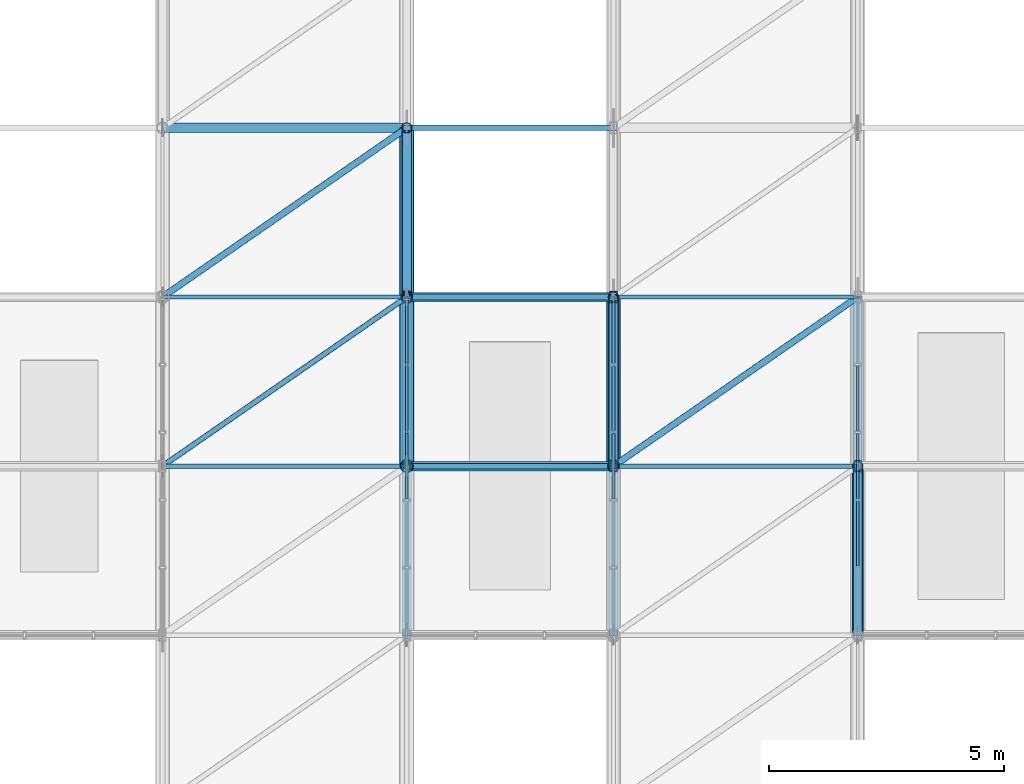
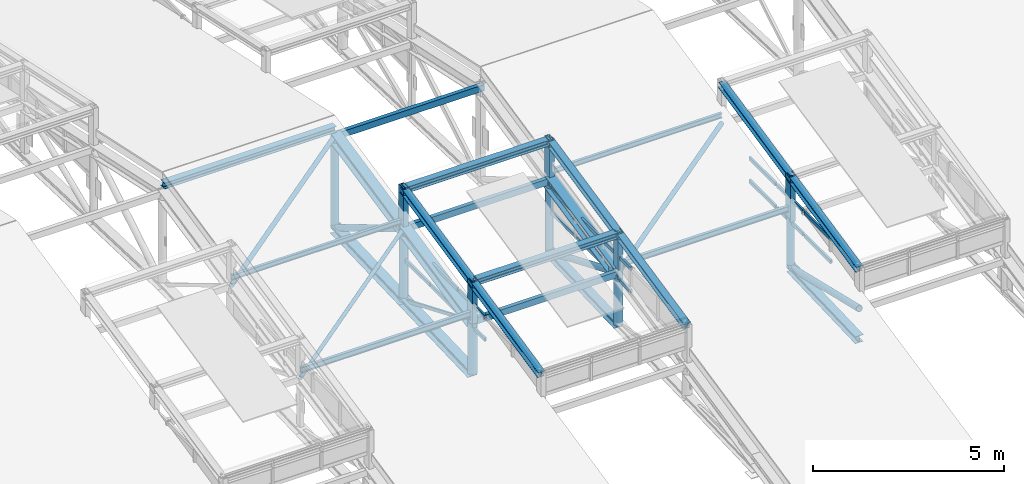
# One storey, part 36 of 124: 56 members, 3 elements without a shape of their own.
"""IFC4 building model written with IfcOpenShell, lengths in metres."""

from ifc_helpers import new_model, si_unit, direction, frame, origin, origin_2d, place, context, subcontext, project, spatial, hollow_rectangle, hollow_circle, i_section, extrude, material, layer, layer_set, material_profile, profile_set, type_object, element, aggregate, save


model = new_model("IFC4")

# Units and contexts
model_context = context("Model", 3, precision=1e-05, world=origin(), true_north=direction((0.0, 1.0)))
body_context = subcontext(model_context, "Body", "Model", "MODEL_VIEW")
ifc_project = project(units=[si_unit("LENGTHUNIT", "METRE"), si_unit("AREAUNIT", "SQUARE_METRE"), si_unit("VOLUMEUNIT", "CUBIC_METRE"), si_unit("PLANEANGLEUNIT", "RADIAN"), si_unit("MASSUNIT", "GRAM", prefix="KILO"), si_unit("THERMODYNAMICTEMPERATUREUNIT", "KELVIN"), si_unit("POWERUNIT", "WATT")], contexts=[model_context])

# Site, building, storey
site_placement = place(None, origin())
site = spatial("IfcSite", under=ifc_project, at=site_placement, CompositionType="ELEMENT")
building_placement = place(site_placement, origin())
building = spatial("IfcBuilding", under=site, at=building_placement, Name="Tavuni Mirador Residences", CompositionType="ELEMENT")
storey_placement = place(building_placement, frame((0.0, 0.0, 7.64990234375)))
storey = spatial("IfcBuildingStorey", under=building, at=storey_placement, Name="L02", CompositionType="ELEMENT", Elevation=7.64990234375)

# Curtain wall, members
ifc_material_1 = material(Name="Anodised aluminium", Category="aluminium")
ifc_layer = layer(ifc_material_1, 0.199951171875, Name="Anodised aluminium", Category="aluminium")
ifc_layer_set = layer_set([ifc_layer], Name="Anodised aluminium")
curtain_wall_type = type_object("IfcCurtainWallType", Name="CWT-HAL-01", PredefinedType="NOTDEFINED", material=ifc_layer_set)
curtain_wall_1_placement = place(storey_placement, origin())
curtain_wall_1 = element("IfcCurtainWall", 1, at=curtain_wall_1_placement, inside=storey, type_object=curtain_wall_type, Name="CW-HALL-MON-S2-W", PredefinedType="NOTDEFINED")
ifc_material_profile_1 = material_profile(ifc_material_1, hollow_rectangle(XDim=0.06005859375, YDim=0.110107421875, WallThickness=0.00390625, at=origin_2d()), Name="ALU 60x110x4.0", Category="aluminium")
ifc_profile_set_1 = profile_set([ifc_material_profile_1], Name="Anodised aluminium")
member_type_1 = type_object("IfcMemberType", Name="CWT-110", PredefinedType="USERDEFINED", material=ifc_profile_set_1)
member_1_placement = place(storey_placement, frame((54.39990234375, 78.510009765625, 1.205078125), z_axis=(0.0, 1.0, 0.0), x_axis=(-1.0, 0.0, 0.0)))
member_1 = element("IfcMember", 2, at=member_1_placement, type_object=member_type_1, Name="CW-06 transom 3.1", ObjectType="TRANSOM", PredefinedType="USERDEFINED", context=body_context, shape_type="SweptSolid", body=[
    extrude(hollow_rectangle(XDim=0.06005859375, YDim=0.110107421875, WallThickness=0.00390625, at=origin_2d()), origin(), (0.0, 0.0, 1.0), 1.3798828125),
])
member_2_placement = place(storey_placement, frame((54.39990234375, 78.510009765625, 1.93505859375), z_axis=(0.0, 1.0, 0.0), x_axis=(-1.0, 0.0, 0.0)))
member_2 = element("IfcMember", 3, at=member_2_placement, type_object=member_type_1, Name="CW-06 transom 3.2", ObjectType="TRANSOM", PredefinedType="USERDEFINED", context=body_context, shape_type="SweptSolid", body=[
    extrude(hollow_rectangle(XDim=0.06005859375, YDim=0.110107421875, WallThickness=0.00390625, at=origin_2d()), origin(), (0.0, 0.0, 1.0), 1.3798828125),
])
member_3_placement = place(storey_placement, frame((54.39990234375, 79.949951171875, 1.205078125), z_axis=(0.0, 1.0, 0.0), x_axis=(-1.0, 0.0, 0.0)))
member_3 = element("IfcMember", 4, at=member_3_placement, type_object=member_type_1, Name="CW-06 transom 4.1", ObjectType="TRANSOM", PredefinedType="USERDEFINED", context=body_context, shape_type="SweptSolid", body=[
    extrude(hollow_rectangle(XDim=0.06005859375, YDim=0.110107421875, WallThickness=0.00390625, at=origin_2d()), origin(), (0.0, 0.0, 1.0), 1.380126953125),
])
member_4_placement = place(storey_placement, frame((54.39990234375, 79.949951171875, 1.93505859375), z_axis=(0.0, 1.0, 0.0), x_axis=(-1.0, 0.0, 0.0)))
member_4 = element("IfcMember", 5, at=member_4_placement, type_object=member_type_1, Name="CW-06 transom 4.2", ObjectType="TRANSOM", PredefinedType="USERDEFINED", context=body_context, shape_type="SweptSolid", body=[
    extrude(hollow_rectangle(XDim=0.06005859375, YDim=0.110107421875, WallThickness=0.00390625, at=origin_2d()), origin(), (0.0, 0.0, 1.0), 1.380126953125),
])
member_5_placement = place(storey_placement, frame((54.39990234375, 81.389892578125, 1.205078125), z_axis=(0.0, 1.0, 0.0), x_axis=(-1.0, 0.0, 0.0)))
member_5 = element("IfcMember", 6, at=member_5_placement, type_object=member_type_1, Name="CW-06 transom 5.1", ObjectType="TRANSOM", PredefinedType="USERDEFINED", context=body_context, shape_type="SweptSolid", body=[
    extrude(hollow_rectangle(XDim=0.06005859375, YDim=0.110107421875, WallThickness=0.00390625, at=origin_2d()), origin(), (0.0, 0.0, 1.0), 1.35009765625),
])
member_6_placement = place(storey_placement, frame((54.39990234375, 81.389892578125, 1.93505859375), z_axis=(0.0, 1.0, 0.0), x_axis=(-1.0, 0.0, 0.0)))
member_6 = element("IfcMember", 7, at=member_6_placement, type_object=member_type_1, Name="CW-06 transom 5.2", ObjectType="TRANSOM", PredefinedType="USERDEFINED", context=body_context, shape_type="SweptSolid", body=[
    extrude(hollow_rectangle(XDim=0.06005859375, YDim=0.110107421875, WallThickness=0.00390625, at=origin_2d()), origin(), (0.0, 0.0, 1.0), 1.35009765625),
])
aggregate(curtain_wall_1, [member_1, member_2, member_3, member_4, member_5, member_6])

curtain_wall_2_placement = place(storey_placement, origin())
curtain_wall_2 = element("IfcCurtainWall", 8, at=curtain_wall_2_placement, inside=storey, type_object=curtain_wall_type, Name="CW-HALL-MON-S2-E", PredefinedType="NOTDEFINED")
member_7_placement = place(storey_placement, frame((58.800048828125, 78.510009765625, 1.205078125), z_axis=(0.0, 1.0, 0.0), x_axis=(-1.0, 0.0, 0.0)))
member_7 = element("IfcMember", 9, at=member_7_placement, type_object=member_type_1, Name="CW-06 transom 3.1", ObjectType="TRANSOM", PredefinedType="USERDEFINED", context=body_context, shape_type="SweptSolid", body=[
    extrude(hollow_rectangle(XDim=0.06005859375, YDim=0.110107421875, WallThickness=0.00390625, at=origin_2d()), origin(), (0.0, 0.0, 1.0), 1.3798828125),
])
member_8_placement = place(storey_placement, frame((58.800048828125, 78.510009765625, 1.93505859375), z_axis=(0.0, 1.0, 0.0), x_axis=(-1.0, 0.0, 0.0)))
member_8 = element("IfcMember", 10, at=member_8_placement, type_object=member_type_1, Name="CW-06 transom 3.2", ObjectType="TRANSOM", PredefinedType="USERDEFINED", context=body_context, shape_type="SweptSolid", body=[
    extrude(hollow_rectangle(XDim=0.06005859375, YDim=0.110107421875, WallThickness=0.00390625, at=origin_2d()), origin(), (0.0, 0.0, 1.0), 1.3798828125),
])
member_9_placement = place(storey_placement, frame((58.800048828125, 79.949951171875, 1.205078125), z_axis=(0.0, 1.0, 0.0), x_axis=(-1.0, 0.0, 0.0)))
member_9 = element("IfcMember", 11, at=member_9_placement, type_object=member_type_1, Name="CW-06 transom 4.1", ObjectType="TRANSOM", PredefinedType="USERDEFINED", context=body_context, shape_type="SweptSolid", body=[
    extrude(hollow_rectangle(XDim=0.06005859375, YDim=0.110107421875, WallThickness=0.00390625, at=origin_2d()), origin(), (0.0, 0.0, 1.0), 1.380126953125),
])
member_10_placement = place(storey_placement, frame((58.800048828125, 79.949951171875, 1.93505859375), z_axis=(0.0, 1.0, 0.0), x_axis=(-1.0, 0.0, 0.0)))
member_10 = element("IfcMember", 12, at=member_10_placement, type_object=member_type_1, Name="CW-06 transom 4.2", ObjectType="TRANSOM", PredefinedType="USERDEFINED", context=body_context, shape_type="SweptSolid", body=[
    extrude(hollow_rectangle(XDim=0.06005859375, YDim=0.110107421875, WallThickness=0.00390625, at=origin_2d()), origin(), (0.0, 0.0, 1.0), 1.380126953125),
])
member_11_placement = place(storey_placement, frame((58.800048828125, 81.389892578125, 1.205078125), z_axis=(0.0, 1.0, 0.0), x_axis=(-1.0, 0.0, 0.0)))
member_11 = element("IfcMember", 13, at=member_11_placement, type_object=member_type_1, Name="CW-06 transom 5.1", ObjectType="TRANSOM", PredefinedType="USERDEFINED", context=body_context, shape_type="SweptSolid", body=[
    extrude(hollow_rectangle(XDim=0.06005859375, YDim=0.110107421875, WallThickness=0.00390625, at=origin_2d()), origin(), (0.0, 0.0, 1.0), 1.35009765625),
])
member_12_placement = place(storey_placement, frame((58.800048828125, 81.389892578125, 1.93505859375), z_axis=(0.0, 1.0, 0.0), x_axis=(-1.0, 0.0, 0.0)))
member_12 = element("IfcMember", 14, at=member_12_placement, type_object=member_type_1, Name="CW-06 transom 5.2", ObjectType="TRANSOM", PredefinedType="USERDEFINED", context=body_context, shape_type="SweptSolid", body=[
    extrude(hollow_rectangle(XDim=0.06005859375, YDim=0.110107421875, WallThickness=0.00390625, at=origin_2d()), origin(), (0.0, 0.0, 1.0), 1.35009765625),
])
aggregate(curtain_wall_2, [member_7, member_8, member_9, member_10, member_11, member_12])

curtain_wall_3_placement = place(storey_placement, origin())
curtain_wall_3 = element("IfcCurtainWall", 15, at=curtain_wall_3_placement, inside=storey, type_object=curtain_wall_type, Name="CW-HALL-MON-S3-W", PredefinedType="NOTDEFINED")
member_13_placement = place(storey_placement, frame((64.0, 77.070068359375, 1.205078125), z_axis=(0.0, 1.0, 0.0), x_axis=(-1.0, 0.0, 0.0)))
member_13 = element("IfcMember", 16, at=member_13_placement, type_object=member_type_1, Name="CW-06 transom 2.1", ObjectType="TRANSOM", PredefinedType="USERDEFINED", context=body_context, shape_type="SweptSolid", body=[
    extrude(hollow_rectangle(XDim=0.06005859375, YDim=0.110107421875, WallThickness=0.00390625, at=origin_2d()), origin(), (0.0, 0.0, 1.0), 1.3798828125),
])
member_14_placement = place(storey_placement, frame((64.0, 77.070068359375, 1.93505859375), z_axis=(0.0, 1.0, 0.0), x_axis=(-1.0, 0.0, 0.0)))
member_14 = element("IfcMember", 17, at=member_14_placement, type_object=member_type_1, Name="CW-06 transom 2.2", ObjectType="TRANSOM", PredefinedType="USERDEFINED", context=body_context, shape_type="SweptSolid", body=[
    extrude(hollow_rectangle(XDim=0.06005859375, YDim=0.110107421875, WallThickness=0.00390625, at=origin_2d()), origin(), (0.0, 0.0, 1.0), 1.3798828125),
])
member_15_placement = place(storey_placement, frame((64.0, 78.510009765625, 1.205078125), z_axis=(0.0, 1.0, 0.0), x_axis=(-1.0, 0.0, 0.0)))
member_15 = element("IfcMember", 18, at=member_15_placement, type_object=member_type_1, Name="CW-06 transom 3.1", ObjectType="TRANSOM", PredefinedType="USERDEFINED", context=body_context, shape_type="SweptSolid", body=[
    extrude(hollow_rectangle(XDim=0.06005859375, YDim=0.110107421875, WallThickness=0.00390625, at=origin_2d()), origin(), (0.0, 0.0, 1.0), 1.3798828125),
])
member_16_placement = place(storey_placement, frame((64.0, 78.510009765625, 1.93505859375), z_axis=(0.0, 1.0, 0.0), x_axis=(-1.0, 0.0, 0.0)))
member_16 = element("IfcMember", 19, at=member_16_placement, type_object=member_type_1, Name="CW-06 transom 3.2", ObjectType="TRANSOM", PredefinedType="USERDEFINED", context=body_context, shape_type="SweptSolid", body=[
    extrude(hollow_rectangle(XDim=0.06005859375, YDim=0.110107421875, WallThickness=0.00390625, at=origin_2d()), origin(), (0.0, 0.0, 1.0), 1.3798828125),
])
member_17_placement = place(storey_placement, frame((64.0, 79.949951171875, 1.205078125), z_axis=(0.0, 1.0, 0.0), x_axis=(-1.0, 0.0, 0.0)))
member_17 = element("IfcMember", 20, at=member_17_placement, type_object=member_type_1, Name="CW-06 transom 4.1", ObjectType="TRANSOM", PredefinedType="USERDEFINED", context=body_context, shape_type="SweptSolid", body=[
    extrude(hollow_rectangle(XDim=0.06005859375, YDim=0.110107421875, WallThickness=0.00390625, at=origin_2d()), origin(), (0.0, 0.0, 1.0), 1.380126953125),
])
member_18_placement = place(storey_placement, frame((64.0, 79.949951171875, 1.93505859375), z_axis=(0.0, 1.0, 0.0), x_axis=(-1.0, 0.0, 0.0)))
member_18 = element("IfcMember", 21, at=member_18_placement, type_object=member_type_1, Name="CW-06 transom 4.2", ObjectType="TRANSOM", PredefinedType="USERDEFINED", context=body_context, shape_type="SweptSolid", body=[
    extrude(hollow_rectangle(XDim=0.06005859375, YDim=0.110107421875, WallThickness=0.00390625, at=origin_2d()), origin(), (0.0, 0.0, 1.0), 1.380126953125),
])
aggregate(curtain_wall_3, [member_13, member_14, member_15, member_16, member_17, member_18])

# Members
ifc_material_2 = material(Name="Structural steel S355", Category="steel")
ifc_material_profile_2 = material_profile(ifc_material_2, hollow_circle(Radius=0.05712890625, WallThickness=0.00634765625, at=origin_2d()), Name="CHS 114.3x6.3", Category="steel")
ifc_profile_set_2 = profile_set([ifc_material_profile_2], Name="Structural steel S355")
member_type_2 = type_object("IfcMemberType", Name="MT-BR-CHS114", PredefinedType="BRACE", material=ifc_profile_set_2)
member_19_placement = place(storey_placement, frame((49.199951171875, 79.199951171875, 1.380126953125), z_axis=(0.81607988035, 0.564999010077, 0.12161310579), x_axis=(-0.569224029849, 0.822182463838, 0.0)))
element("IfcMember", 22, at=member_19_placement, inside=storey, type_object=member_type_2, Name="HALL-RB-2-03", PredefinedType="BRACE", context=body_context, shape_type="SweptSolid", body=[
    extrude(hollow_circle(Radius=0.05712890625, WallThickness=0.00634765625, at=origin_2d()), origin(), (0.0, 0.0, 1.0), 6.371826171875),
])
ifc_material_profile_3 = material_profile(ifc_material_2, hollow_circle(Radius=0.06982421875, WallThickness=0.008056640625, at=origin_2d()), Name="CHS 139.7x8.0", Category="steel")
ifc_profile_set_3 = profile_set([ifc_material_profile_3], Name="Structural steel S355")
member_type_3 = type_object("IfcMemberType", Name="MT-BR-CHS139", PredefinedType="BRACE", material=ifc_profile_set_3)
for number, where, z_axis, x_axis, name in (
    (23, (49.199951171875, 82.800048828125, 2.155029296875), (0.816093743488, 0.564970291926, 0.121653487749), (-0.569197934703, 0.822200529755, 0.0), "HALL-RB-2-04"),
    (24, (58.800048828125, 79.199951171875, 1.380126953125), (0.81607988035, 0.564999010077, 0.12161310579), (-0.569224029849, 0.822182463838, 0.0), "HALL-RB-3-03"),
):
    element("IfcMember", number, at=place(storey_placement, frame(where, z_axis=z_axis, x_axis=x_axis)), inside=storey, type_object=member_type_3, Name=name, PredefinedType="BRACE", context=body_context, shape_type="SweptSolid", body=[
        extrude(hollow_circle(Radius=0.06982421875, WallThickness=0.008056640625, at=origin_2d()), origin(), (0.0, 0.0, 1.0), 6.371826171875),
    ])
ifc_material_profile_4 = material_profile(ifc_material_2, hollow_circle(Radius=0.096923828125, WallThickness=0.010009765625, at=origin_2d()), Name="CHS 193.7x10.0", Category="steel")
ifc_profile_set_4 = profile_set([ifc_material_profile_4], Name="Structural steel S355")
member_type_4 = type_object("IfcMemberType", Name="MT-BR-CHS193", PredefinedType="BRACE", material=ifc_profile_set_4)
member_20_placement = place(storey_placement, frame((54.39990234375, 82.800048828125, 2.155029296875), z_axis=(0.0, 0.858005936545, -0.513639769541), x_axis=(-1.0, 0.0, 0.0)))
element("IfcMember", 25, at=member_20_placement, inside=storey, type_object=member_type_4, Name="Roof truss TR-4 web diagonal 4", PredefinedType="BRACE", context=body_context, shape_type="SweptSolid", body=[
    extrude(hollow_circle(Radius=0.096923828125, WallThickness=0.010009765625, at=origin_2d()), origin(), (0.0, 0.0, 1.0), 4.195556640625),
])
member_21_placement = place(storey_placement, frame((58.800048828125, 79.199951171875, 1.380126953125), z_axis=(0.0, 0.922613480979, -0.385725763613), x_axis=(-1.0, 0.0, 0.0)))
element("IfcMember", 26, at=member_21_placement, inside=storey, type_object=member_type_4, Name="Roof truss TR-5 web diagonal 3", PredefinedType="BRACE", context=body_context, shape_type="SweptSolid", body=[
    extrude(hollow_circle(Radius=0.096923828125, WallThickness=0.010009765625, at=origin_2d()), origin(), (0.0, 0.0, 1.0), 3.902099609375),
])
member_22_placement = place(storey_placement, frame((64.0, 75.60009765625, 0.60498046875), z_axis=(0.0, 0.972935623557, -0.231076334601), x_axis=(-1.0, 0.0, 0.0)))
element("IfcMember", 27, at=member_22_placement, inside=storey, type_object=member_type_4, Name="Roof truss TR-6 web diagonal 2", PredefinedType="BRACE", context=body_context, shape_type="SweptSolid", body=[
    extrude(hollow_circle(Radius=0.096923828125, WallThickness=0.010009765625, at=origin_2d()), origin(), (0.0, 0.0, 1.0), 3.699951171875),
])
ifc_material_profile_5 = material_profile(ifc_material_2, hollow_rectangle(XDim=0.06005859375, YDim=0.10009765625, WallThickness=0.0048828125, at=origin_2d()), Name="RHS 100x60x5.0", Category="steel")
ifc_profile_set_5 = profile_set([ifc_material_profile_5], Name="Structural steel S355")
member_type_5 = type_object("IfcMemberType", Name="MT-BR-RHS100", PredefinedType="BRACE", material=ifc_profile_set_5)
member_23_placement = place(storey_placement, frame((54.39990234375, 79.199951171875, 1.380126953125), z_axis=(0.0, 0.922613480979, -0.385725763613), x_axis=(-1.0, 0.0, 0.0)))
element("IfcMember", 28, at=member_23_placement, inside=storey, type_object=member_type_5, Name="Roof truss TR-4 web diagonal 3", PredefinedType="BRACE", context=body_context, shape_type="SweptSolid", body=[
    extrude(hollow_rectangle(XDim=0.06005859375, YDim=0.10009765625, WallThickness=0.0048828125, at=origin_2d()), origin(), (0.0, 0.0, 1.0), 3.902099609375),
])
ifc_material_profile_6 = material_profile(ifc_material_2, i_section(OverallWidth=0.239990234375, OverallDepth=0.22998046875, WebThickness=0.007568359375, FlangeThickness=0.011962890625, FilletRadius=0.02099609375, at=origin_2d()), Name="HEA 240", Category="steel")
ifc_profile_set_6 = profile_set([ifc_material_profile_6], Name="Structural steel S355")
member_type_6 = type_object("IfcMemberType", Name="MT-CH-HEA240", PredefinedType="CHORD", material=ifc_profile_set_6)
member_24_placement = place(storey_placement, frame((58.800048828125, 79.199951171875, -0.25), z_axis=(0.0, 0.999397760821, 0.034700369832), x_axis=(-1.0, 0.0, 0.0)))
element("IfcMember", 29, at=member_24_placement, inside=storey, type_object=member_type_6, Name="Roof truss TR-5 bottom chord 3", PredefinedType="CHORD", context=body_context, shape_type="SweptSolid", body=[
    extrude(i_section(OverallWidth=0.239990234375, OverallDepth=0.22998046875, WebThickness=0.007568359375, FlangeThickness=0.011962890625, FilletRadius=0.02099609375, at=origin_2d()), origin(), (0.0, 0.0, 1.0), 3.602294921875),
])
member_25_placement = place(storey_placement, frame((64.0, 75.60009765625, -0.375), z_axis=(0.0, 0.999397679205, 0.034702720363), x_axis=(-1.0, 0.0, 0.0)))
element("IfcMember", 30, at=member_25_placement, inside=storey, type_object=member_type_6, Name="Roof truss TR-6 bottom chord 2", PredefinedType="CHORD", context=body_context, shape_type="SweptSolid", body=[
    extrude(i_section(OverallWidth=0.239990234375, OverallDepth=0.22998046875, WebThickness=0.007568359375, FlangeThickness=0.011962890625, FilletRadius=0.02099609375, at=origin_2d()), origin(), (0.0, 0.0, 1.0), 3.60205078125),
])
ifc_material_profile_7 = material_profile(ifc_material_2, i_section(OverallWidth=0.280029296875, OverallDepth=0.27001953125, WebThickness=0.008056640625, FlangeThickness=0.012939453125, FilletRadius=0.02392578125, at=origin_2d()), Name="HEA 280", Category="steel")
ifc_profile_set_7 = profile_set([ifc_material_profile_7], Name="Structural steel S355")
member_type_7 = type_object("IfcMemberType", Name="MT-CH-HEA280", PredefinedType="CHORD", material=ifc_profile_set_7)
member_26_placement = place(storey_placement, frame((54.39990234375, 79.199951171875, -0.25), z_axis=(0.0, 0.999397760821, 0.034700369832), x_axis=(-1.0, 0.0, 0.0)))
element("IfcMember", 31, at=member_26_placement, inside=storey, type_object=member_type_7, Name="Roof truss TR-4 bottom chord 3", PredefinedType="CHORD", context=body_context, shape_type="SweptSolid", body=[
    extrude(i_section(OverallWidth=0.280029296875, OverallDepth=0.27001953125, WebThickness=0.008056640625, FlangeThickness=0.012939453125, FilletRadius=0.02392578125, at=origin_2d()), origin(), (0.0, 0.0, 1.0), 3.602294921875),
])
member_27_placement = place(storey_placement, frame((54.39990234375, 82.800048828125, -0.125), z_axis=(0.0, 0.999397679205, 0.034702720363), x_axis=(-1.0, 0.0, 0.0)))
element("IfcMember", 32, at=member_27_placement, inside=storey, type_object=member_type_7, Name="Roof truss TR-4 bottom chord 4", PredefinedType="CHORD", context=body_context, shape_type="SweptSolid", body=[
    extrude(i_section(OverallWidth=0.280029296875, OverallDepth=0.27001953125, WebThickness=0.008056640625, FlangeThickness=0.012939453125, FilletRadius=0.02392578125, at=origin_2d()), origin(), (0.0, 0.0, 1.0), 3.60205078125),
])
ifc_material_profile_8 = material_profile(ifc_material_2, i_section(OverallWidth=0.300048828125, OverallDepth=0.389892578125, WebThickness=0.010986328125, FlangeThickness=0.01904296875, FilletRadius=0.027099609375, at=origin_2d()), Name="HEA 400", Category="steel")
ifc_profile_set_8 = profile_set([ifc_material_profile_8], Name="Structural steel S355")
member_type_8 = type_object("IfcMemberType", Name="MT-CH-HEA400", PredefinedType="CHORD", material=ifc_profile_set_8)
member_28_placement = place(storey_placement, frame((58.800048828125, 79.199951171875, 1.380126953125), z_axis=(0.0, 0.977609904647, 0.210425460284), x_axis=(-1.0, 0.0, 0.0)))
element("IfcMember", 33, at=member_28_placement, inside=storey, type_object=member_type_8, Name="Roof truss TR-5 top chord 3", PredefinedType="CHORD", context=body_context, shape_type="SweptSolid", body=[
    extrude(i_section(OverallWidth=0.300048828125, OverallDepth=0.389892578125, WebThickness=0.010986328125, FlangeThickness=0.01904296875, FilletRadius=0.027099609375, at=origin_2d()), origin(), (0.0, 0.0, 1.0), 3.6826171875),
])
ifc_material_profile_9 = material_profile(ifc_material_2, i_section(OverallWidth=0.300048828125, OverallDepth=0.320068359375, WebThickness=0.011474609375, FlangeThickness=0.0205078125, FilletRadius=0.027099609375, at=origin_2d()), Name="HEB 320", Category="steel")
ifc_profile_set_9 = profile_set([ifc_material_profile_9], Name="Structural steel S355")
member_type_9 = type_object("IfcMemberType", Name="MT-CH-HEB320", PredefinedType="CHORD", material=ifc_profile_set_9)
member_29_placement = place(storey_placement, frame((54.39990234375, 79.199951171875, 1.380126953125), z_axis=(0.0, 0.977609904647, 0.210425460284), x_axis=(-1.0, 0.0, 0.0)))
element("IfcMember", 34, at=member_29_placement, inside=storey, type_object=member_type_9, Name="Roof truss TR-4 top chord 3", PredefinedType="CHORD", context=body_context, shape_type="SweptSolid", body=[
    extrude(i_section(OverallWidth=0.300048828125, OverallDepth=0.320068359375, WebThickness=0.011474609375, FlangeThickness=0.0205078125, FilletRadius=0.027099609375, at=origin_2d()), origin(), (0.0, 0.0, 1.0), 3.6826171875),
])
member_30_placement = place(storey_placement, frame((54.39990234375, 82.800048828125, 2.155029296875), z_axis=(0.0, 0.977593327089, 0.210502462768), x_axis=(-1.0, 0.0, 0.0)))
element("IfcMember", 35, at=member_30_placement, inside=storey, type_object=member_type_9, Name="Roof truss TR-4 top chord 4", PredefinedType="CHORD", context=body_context, shape_type="SweptSolid", body=[
    extrude(i_section(OverallWidth=0.300048828125, OverallDepth=0.320068359375, WebThickness=0.011474609375, FlangeThickness=0.0205078125, FilletRadius=0.027099609375, at=origin_2d()), origin(), (0.0, 0.0, 1.0), 3.682373046875),
])
ifc_material_profile_10 = material_profile(ifc_material_2, i_section(OverallWidth=0.199951171875, OverallDepth=0.18994140625, WebThickness=0.006591796875, FlangeThickness=0.010009765625, FilletRadius=0.01806640625, at=origin_2d()), Name="HEA 200", Category="steel")
ifc_profile_set_10 = profile_set([ifc_material_profile_10], Name="Structural steel S355")
member_type_10 = type_object("IfcMemberType", Name="MT-PR-HEA200", PredefinedType="PURLIN", material=ifc_profile_set_10)
member_31_placement = place(storey_placement, frame((49.199951171875, 86.39990234375, 3.195068359375), z_axis=(1.0, 0.0, 0.0), x_axis=(0.0, 1.0, 0.0)))
element("IfcMember", 36, at=member_31_placement, inside=storey, type_object=member_type_10, Name="HALL-PUR-03-S2-1", PredefinedType="PURLIN", context=body_context, shape_type="SweptSolid", body=[
    extrude(i_section(OverallWidth=0.199951171875, OverallDepth=0.18994140625, WebThickness=0.006591796875, FlangeThickness=0.010009765625, FilletRadius=0.01806640625, at=origin_2d()), origin(), (0.0, 0.0, 1.0), 5.199951171875),
])
for number, where, z_axis, x_axis, name in (
    (37, (54.39990234375, 79.199951171875, 2.64013671875), (1.0, 0.0, 0.0), (0.0, 1.0, 0.0), "HALL-MPUR-2-S-2"),
    (38, (54.39990234375, 82.800048828125, 3.4150390625), (1.0, 0.0, 0.0), (0.0, 1.0, 0.0), "HALL-MPUR-2-S-3"),
):
    element("IfcMember", number, at=place(storey_placement, frame(where, z_axis=z_axis, x_axis=x_axis)), inside=storey, type_object=member_type_10, Name=name, PredefinedType="PURLIN", context=body_context, shape_type="SweptSolid", body=[
        extrude(i_section(OverallWidth=0.199951171875, OverallDepth=0.18994140625, WebThickness=0.006591796875, FlangeThickness=0.010009765625, FilletRadius=0.01806640625, at=origin_2d()), origin(), (0.0, 0.0, 1.0), 4.400146484375),
    ])
for number, where, z_axis, x_axis, name in (
    (39, (54.39990234375, 75.60009765625, 1.864990234375), (0.0, 0.977601616837, 0.21046396071), (-1.0, 0.0, 0.0), "HALL-MRAF-2-S-W"),
    (40, (58.800048828125, 75.60009765625, 1.864990234375), (0.0, 0.977601616837, 0.21046396071), (-1.0, 0.0, 0.0), "HALL-MRAF-2-S-E"),
    (41, (64.0, 75.60009765625, 1.864990234375), (0.0, 0.977601616837, 0.21046396071), (-1.0, 0.0, 0.0), "HALL-MRAF-3-S-W"),
):
    element("IfcMember", number, at=place(storey_placement, frame(where, z_axis=z_axis, x_axis=x_axis)), inside=storey, type_object=member_type_10, Name=name, PredefinedType="PURLIN", context=body_context, shape_type="SweptSolid", body=[
        extrude(i_section(OverallWidth=0.199951171875, OverallDepth=0.18994140625, WebThickness=0.006591796875, FlangeThickness=0.010009765625, FilletRadius=0.01806640625, at=origin_2d()), origin(), (0.0, 0.0, 1.0), 7.364990234375),
    ])
ifc_material_profile_11 = material_profile(ifc_material_2, i_section(OverallWidth=0.08203125, OverallDepth=0.159912109375, WebThickness=0.0048828125, FlangeThickness=0.00732421875, FilletRadius=0.009033203125, at=origin_2d()), Name="IPE 160", Category="steel")
ifc_profile_set_11 = profile_set([ifc_material_profile_11], Name="Structural steel S355")
member_type_11 = type_object("IfcMemberType", Name="MT-PR-IPE160", PredefinedType="PURLIN", material=ifc_profile_set_11)
for number, where, z_axis, x_axis, name in (
    (42, (49.199951171875, 82.800048828125, 2.420166015625), (1.0, 0.0, 0.0), (0.0, 1.0, 0.0), "HALL-PUR-02-S2-1"),
    (43, (58.800048828125, 82.800048828125, 2.420166015625), (1.0, 0.0, 0.0), (0.0, 1.0, 0.0), "HALL-PUR-02-S3-1"),
):
    element("IfcMember", number, at=place(storey_placement, frame(where, z_axis=z_axis, x_axis=x_axis)), inside=storey, type_object=member_type_11, Name=name, PredefinedType="PURLIN", context=body_context, shape_type="SweptSolid", body=[
        extrude(i_section(OverallWidth=0.08203125, OverallDepth=0.159912109375, WebThickness=0.0048828125, FlangeThickness=0.00732421875, FilletRadius=0.009033203125, at=origin_2d()), origin(), (0.0, 0.0, 1.0), 5.199951171875),
    ])
ifc_material_profile_12 = material_profile(ifc_material_2, i_section(OverallWidth=0.091064453125, OverallDepth=0.179931640625, WebThickness=0.00537109375, FlangeThickness=0.008056640625, FilletRadius=0.009033203125, at=origin_2d()), Name="IPE 180", Category="steel")
ifc_profile_set_12 = profile_set([ifc_material_profile_12], Name="Structural steel S355")
member_type_12 = type_object("IfcMemberType", Name="MT-PR-IPE180", PredefinedType="PURLIN", material=ifc_profile_set_12)
for number, where, z_axis, x_axis, name in (
    (44, (49.199951171875, 79.199951171875, 1.64501953125), (1.0, 0.0, 0.0), (0.0, 1.0, 0.0), "HALL-PUR-01-S2-1"),
    (45, (58.800048828125, 79.199951171875, 1.64501953125), (1.0, 0.0, 0.0), (0.0, 1.0, 0.0), "HALL-PUR-01-S3-1"),
):
    element("IfcMember", number, at=place(storey_placement, frame(where, z_axis=z_axis, x_axis=x_axis)), inside=storey, type_object=member_type_12, Name=name, PredefinedType="PURLIN", context=body_context, shape_type="SweptSolid", body=[
        extrude(i_section(OverallWidth=0.091064453125, OverallDepth=0.179931640625, WebThickness=0.00537109375, FlangeThickness=0.008056640625, FilletRadius=0.009033203125, at=origin_2d()), origin(), (0.0, 0.0, 1.0), 5.199951171875),
    ])
ifc_material_profile_13 = material_profile(ifc_material_2, hollow_circle(Radius=0.109619140625, WallThickness=0.010009765625, at=origin_2d()), Name="CHS 219.1x10.0", Category="steel")
ifc_profile_set_13 = profile_set([ifc_material_profile_13], Name="Structural steel S355")
member_type_13 = type_object("IfcMemberType", Name="MT-ST-CHS219", PredefinedType="STRUT", material=ifc_profile_set_13)
member_32_placement = place(storey_placement, frame((54.39990234375, 86.39990234375, 0.0), z_axis=(0.0, 0.0, 1.0), x_axis=(1.0, 0.0, 0.0)))
element("IfcMember", 46, at=member_32_placement, inside=storey, type_object=member_type_13, Name="Roof truss TR-4 vertical 5", PredefinedType="STRUT", context=body_context, shape_type="SweptSolid", body=[
    extrude(hollow_circle(Radius=0.109619140625, WallThickness=0.010009765625, at=origin_2d()), origin(), (0.0, 0.0, 1.0), 2.93017578125),
])
member_33_placement = place(storey_placement, frame((58.800048828125, 82.800048828125, -0.125), z_axis=(0.0, 0.0, 1.0), x_axis=(1.0, 0.0, 0.0)))
element("IfcMember", 47, at=member_33_placement, inside=storey, type_object=member_type_13, Name="Roof truss TR-5 vertical 4", PredefinedType="STRUT", context=body_context, shape_type="SweptSolid", body=[
    extrude(hollow_circle(Radius=0.109619140625, WallThickness=0.010009765625, at=origin_2d()), origin(), (0.0, 0.0, 1.0), 2.280029296875),
])
member_34_placement = place(storey_placement, frame((64.0, 79.199951171875, -0.25), z_axis=(0.0, 0.0, 1.0), x_axis=(1.0, 0.0, 0.0)))
element("IfcMember", 48, at=member_34_placement, inside=storey, type_object=member_type_13, Name="Roof truss TR-6 vertical 3", PredefinedType="STRUT", context=body_context, shape_type="SweptSolid", body=[
    extrude(hollow_circle(Radius=0.109619140625, WallThickness=0.010009765625, at=origin_2d()), origin(), (0.0, 0.0, 1.0), 1.630126953125),
])
ifc_material_profile_14 = material_profile(ifc_material_2, hollow_circle(Radius=0.122314453125, WallThickness=0.012451171875, at=origin_2d()), Name="CHS 244.5x12.5", Category="steel")
ifc_profile_set_14 = profile_set([ifc_material_profile_14], Name="Structural steel S355")
member_type_14 = type_object("IfcMemberType", Name="MT-ST-CHS244", PredefinedType="STRUT", material=ifc_profile_set_14)
member_35_placement = place(storey_placement, frame((54.39990234375, 82.800048828125, -0.125), z_axis=(0.0, 0.0, 1.0), x_axis=(1.0, 0.0, 0.0)))
element("IfcMember", 49, at=member_35_placement, inside=storey, type_object=member_type_14, Name="Roof truss TR-4 vertical 4", PredefinedType="STRUT", context=body_context, shape_type="SweptSolid", body=[
    extrude(hollow_circle(Radius=0.122314453125, WallThickness=0.012451171875, at=origin_2d()), origin(), (0.0, 0.0, 1.0), 2.280029296875),
])
member_36_placement = place(storey_placement, frame((58.800048828125, 79.199951171875, -0.25), z_axis=(0.0, 0.0, 1.0), x_axis=(1.0, 0.0, 0.0)))
element("IfcMember", 50, at=member_36_placement, inside=storey, type_object=member_type_14, Name="Roof truss TR-5 vertical 3", PredefinedType="STRUT", context=body_context, shape_type="SweptSolid", body=[
    extrude(hollow_circle(Radius=0.122314453125, WallThickness=0.012451171875, at=origin_2d()), origin(), (0.0, 0.0, 1.0), 1.630126953125),
])
ifc_material_profile_15 = material_profile(ifc_material_2, hollow_circle(Radius=0.136474609375, WallThickness=0.012451171875, at=origin_2d()), Name="CHS 273.0x12.5", Category="steel")
ifc_profile_set_15 = profile_set([ifc_material_profile_15], Name="Structural steel S355")
member_type_15 = type_object("IfcMemberType", Name="MT-ST-CHS273", PredefinedType="STRUT", material=ifc_profile_set_15)
member_37_placement = place(storey_placement, frame((54.39990234375, 79.199951171875, -0.25), z_axis=(0.0, 0.0, 1.0), x_axis=(1.0, 0.0, 0.0)))
element("IfcMember", 51, at=member_37_placement, inside=storey, type_object=member_type_15, Name="Roof truss TR-4 vertical 3", PredefinedType="STRUT", context=body_context, shape_type="SweptSolid", body=[
    extrude(hollow_circle(Radius=0.136474609375, WallThickness=0.012451171875, at=origin_2d()), origin(), (0.0, 0.0, 1.0), 1.630126953125),
])
ifc_material_profile_16 = material_profile(ifc_material_2, hollow_rectangle(XDim=0.1201171875, YDim=0.199951171875, WallThickness=0.010009765625, at=origin_2d()), Name="RHS 200x120x10.0", Category="steel")
ifc_profile_set_16 = profile_set([ifc_material_profile_16], Name="Structural steel S355")
member_type_16 = type_object("IfcMemberType", Name="MT-ST-RHS200", PredefinedType="STRUT", material=ifc_profile_set_16)
for number, where, z_axis, x_axis, name in (
    (52, (54.320068359375, 79.199951171875, 1.380126953125), (1.0, 0.0, 0.0), (0.0, 1.0, 0.0), "HALL-MTIE-2-02"),
    (53, (54.320068359375, 82.800048828125, 2.155029296875), (1.0, 0.0, 0.0), (0.0, 1.0, 0.0), "HALL-MTIE-2-03"),
    (54, (54.320068359375, 86.39990234375, 2.93017578125), (1.0, 0.0, 0.0), (0.0, 1.0, 0.0), "HALL-MTIE-2-04"),
):
    element("IfcMember", number, at=place(storey_placement, frame(where, z_axis=z_axis, x_axis=x_axis)), inside=storey, type_object=member_type_16, Name=name, PredefinedType="STRUT", context=body_context, shape_type="SweptSolid", body=[
        extrude(hollow_rectangle(XDim=0.1201171875, YDim=0.199951171875, WallThickness=0.010009765625, at=origin_2d()), origin(), (0.0, 0.0, 1.0), 4.559814453125),
    ])
ifc_material_profile_17 = material_profile(ifc_material_2, hollow_rectangle(XDim=0.14990234375, YDim=0.25, WallThickness=0.010009765625, at=origin_2d()), Name="RHS 250x150x10.0", Category="steel")
ifc_profile_set_17 = profile_set([ifc_material_profile_17], Name="Structural steel S355")
member_type_17 = type_object("IfcMemberType", Name="MT-ST-RHS250", PredefinedType="STRUT", material=ifc_profile_set_17)
for number, where, z_axis, x_axis, name in (
    (55, (54.39990234375, 79.199951171875, 1.260009765625), (0.0, 0.0, 1.0), (1.0, 0.0, 0.0), "HALL-MPST-2-S-W2"),
    (56, (58.800048828125, 79.199951171875, 1.260009765625), (0.0, 0.0, 1.0), (1.0, 0.0, 0.0), "HALL-MPST-2-S-E2"),
    (57, (54.39990234375, 82.800048828125, 2.03515625), (0.0, 0.0, 1.0), (1.0, 0.0, 0.0), "HALL-MPST-2-S-W3"),
    (58, (58.800048828125, 82.800048828125, 2.03515625), (0.0, 0.0, 1.0), (1.0, 0.0, 0.0), "HALL-MPST-2-S-E3"),
    (59, (64.0, 79.199951171875, 1.260009765625), (0.0, 0.0, 1.0), (1.0, 0.0, 0.0), "HALL-MPST-3-S-W2"),
):
    element("IfcMember", number, at=place(storey_placement, frame(where, z_axis=z_axis, x_axis=x_axis)), inside=storey, type_object=member_type_17, Name=name, PredefinedType="STRUT", context=body_context, shape_type="SweptSolid", body=[
        extrude(hollow_rectangle(XDim=0.14990234375, YDim=0.25, WallThickness=0.010009765625, at=origin_2d()), origin(), (0.0, 0.0, 1.0), 1.489990234375),
    ])

save(model, "model.ifc")
